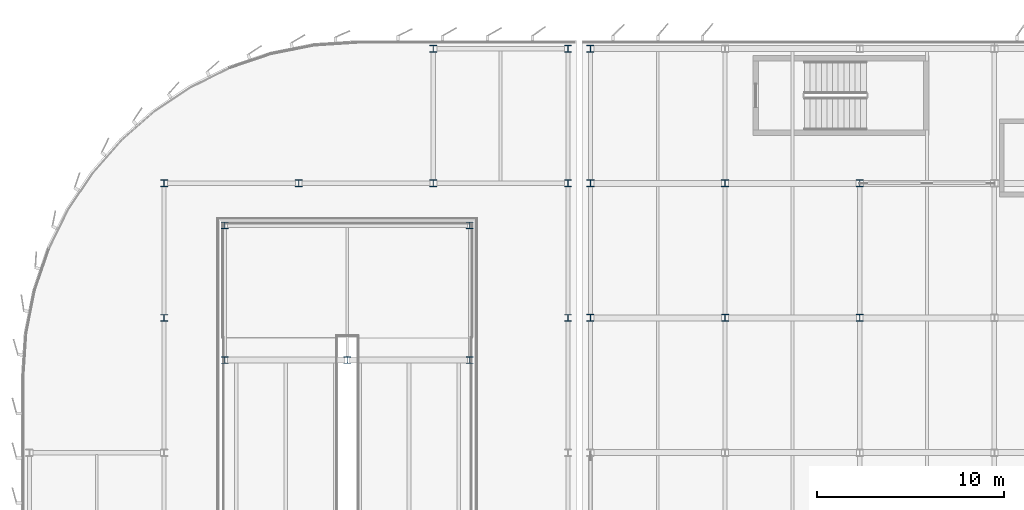
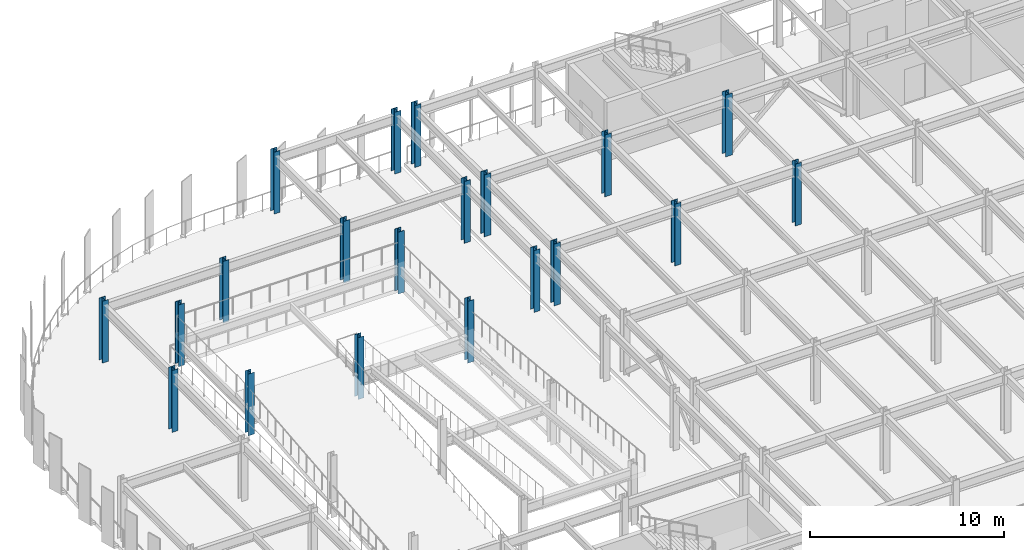
# One storey, part 3 of 80: 20 columns.
"""IFC4 building model written with IfcOpenShell, lengths in metres."""

from ifc_helpers import new_model, si_unit, direction, frame, origin, origin_2d, place, context, subcontext, project, spatial, i_section, extrude, material, material_profile, profile_set, type_object, element, save


model = new_model("IFC4")

# Units and contexts
model_context = context("Model", 3, precision=1e-05, world=origin(), true_north=direction((0.0, 1.0)))
body_context = subcontext(model_context, "Body", "Model", "MODEL_VIEW")
ifc_project = project(units=[si_unit("LENGTHUNIT", "METRE"), si_unit("AREAUNIT", "SQUARE_METRE"), si_unit("VOLUMEUNIT", "CUBIC_METRE"), si_unit("PLANEANGLEUNIT", "RADIAN"), si_unit("MASSUNIT", "GRAM", prefix="KILO")], contexts=[model_context])

# Site, building, storey
site_placement = place(None, origin())
site = spatial("IfcSite", under=ifc_project, at=site_placement, CompositionType="ELEMENT")
building_placement = place(site_placement, origin())
building = spatial("IfcBuilding", under=site, at=building_placement, Name="Vaelcorin Mobility Hub", CompositionType="ELEMENT")
storey_placement = place(building_placement, frame((0.0, 0.0, 9.300048828125)))
storey = spatial("IfcBuildingStorey", under=building, at=storey_placement, Name="L02", CompositionType="ELEMENT", Elevation=9.300048828125)

# Columns
ifc_material = material(Name="Steel ASTM A992 Grade 50", Category="steel")
ifc_material_profile_1 = material_profile(ifc_material, i_section(OverallWidth=0.37109375, OverallDepth=0.363037109375, WebThickness=0.01318359375, FlangeThickness=0.021728515625, FilletRadius=0.014892578125, at=origin_2d()), Name="W14X109")
ifc_profile_set_1 = profile_set([ifc_material_profile_1], Name="Steel ASTM A992 Grade 50")
column_type_1 = type_object("IfcColumnType", Name="COL-W14X109", PredefinedType="COLUMN", material=ifc_profile_set_1)
for number, where, z_axis, x_axis, name in (
    (1, (13.199951171875, 105.60009765625, 0.0), (0.0, 0.0, 1.0), (1.0, 0.0, 0.0), "Column V2W-G2x5 L02"),
    (2, (13.199951171875, 112.800048828125, 0.0), (0.0, 0.0, 1.0), (1.0, 0.0, 0.0), "Column V2W-G2x6 L02"),
    (3, (20.39990234375, 112.800048828125, 0.0), (0.0, 0.0, 1.0), (1.0, 0.0, 0.0), "Column V2W-G3x6 L02"),
    (4, (27.60009765625, 112.800048828125, 0.0), (0.0, 0.0, 1.0), (1.0, 0.0, 0.0), "Column V2W-G4x6 L02"),
    (5, (27.60009765625, 120.0, 0.0), (0.0, 0.0, 1.0), (1.0, 0.0, 0.0), "Column V2W-G4x7 L02"),
    (6, (34.800048828125, 105.60009765625, 0.0), (0.0, 0.0, 1.0), (1.0, 0.0, 0.0), "Column V2W-G5x5 L02"),
    (7, (34.800048828125, 112.800048828125, 0.0), (0.0, 0.0, 1.0), (1.0, 0.0, 0.0), "Column V2W-G5x6 L02"),
    (8, (34.800048828125, 120.0, 0.0), (0.0, 0.0, 1.0), (1.0, 0.0, 0.0), "Column V2W-G5x7 L02"),
):
    element("IfcColumn", number, at=place(storey_placement, frame(where, z_axis=z_axis, x_axis=x_axis)), inside=storey, type_object=column_type_1, Name=name, PredefinedType="COLUMN", context=body_context, shape_type="SweptSolid", body=[
        extrude(i_section(OverallWidth=0.37109375, OverallDepth=0.363037109375, WebThickness=0.01318359375, FlangeThickness=0.021728515625, FilletRadius=0.014892578125, at=origin_2d()), origin(), (0.0, 0.0, 1.0), 3.89990234375),
    ])
ifc_material_profile_2 = material_profile(ifc_material, i_section(OverallWidth=0.373046875, OverallDepth=0.373046875, WebThickness=0.016357421875, FlangeThickness=0.026123046875, FilletRadius=0.014892578125, at=origin_2d()), Name="W14X132")
ifc_profile_set_2 = profile_set([ifc_material_profile_2], Name="Steel ASTM A992 Grade 50")
column_type_2 = type_object("IfcColumnType", Name="COL-W14X132", PredefinedType="COLUMN", material=ifc_profile_set_2)
for number, where, z_axis, x_axis, name in (
    (9, (36.0, 105.60009765625, 0.0), (0.0, 0.0, 1.0), (1.0, 0.0, 0.0), "Column V4-X01Y05 L02"),
    (10, (36.0, 120.0, 0.0), (0.0, 0.0, 1.0), (1.0, 0.0, 0.0), "Column V4-X01Y07 L02"),
    (11, (43.199951171875, 105.60009765625, 0.0), (0.0, 0.0, 1.0), (1.0, 0.0, 0.0), "Column V4-X02Y05 L02"),
    (12, (50.39990234375, 105.60009765625, 0.0), (0.0, 0.0, 1.0), (1.0, 0.0, 0.0), "Column V4-X03Y05 L02"),
):
    element("IfcColumn", number, at=place(storey_placement, frame(where, z_axis=z_axis, x_axis=x_axis)), inside=storey, type_object=column_type_2, Name=name, PredefinedType="COLUMN", context=body_context, shape_type="SweptSolid", body=[
        extrude(i_section(OverallWidth=0.373046875, OverallDepth=0.373046875, WebThickness=0.016357421875, FlangeThickness=0.026123046875, FilletRadius=0.014892578125, at=origin_2d()), origin(), (0.0, 0.0, 1.0), 3.89990234375),
    ])
ifc_material_profile_3 = material_profile(ifc_material, i_section(OverallWidth=0.39599609375, OverallDepth=0.381103515625, WebThickness=0.018798828125, FlangeThickness=0.0302734375, FilletRadius=0.014892578125, at=origin_2d()), Name="W14X159")
ifc_profile_set_3 = profile_set([ifc_material_profile_3], Name="Steel ASTM A992 Grade 50")
column_type_3 = type_object("IfcColumnType", Name="COL-W14X159", PredefinedType="COLUMN", material=ifc_profile_set_3)
for number, where, z_axis, x_axis, name in (
    (13, (36.0, 112.800048828125, 0.0), (0.0, 0.0, 1.0), (1.0, 0.0, 0.0), "Column V4-X01Y06 L02"),
    (14, (43.199951171875, 112.800048828125, 0.0), (0.0, 0.0, 1.0), (1.0, 0.0, 0.0), "Column V4-X02Y06 L02"),
    (15, (50.39990234375, 112.800048828125, 0.0), (0.0, 0.0, 1.0), (1.0, 0.0, 0.0), "Column V4-X03Y06 L02"),
):
    element("IfcColumn", number, at=place(storey_placement, frame(where, z_axis=z_axis, x_axis=x_axis)), inside=storey, type_object=column_type_3, Name=name, PredefinedType="COLUMN", context=body_context, shape_type="SweptSolid", body=[
        extrude(i_section(OverallWidth=0.39599609375, OverallDepth=0.381103515625, WebThickness=0.018798828125, FlangeThickness=0.0302734375, FilletRadius=0.014892578125, at=origin_2d()), origin(), (0.0, 0.0, 1.0), 3.89990234375),
    ])
ifc_material_profile_4 = material_profile(ifc_material, i_section(OverallWidth=0.367919921875, OverallDepth=0.35595703125, WebThickness=0.01123046875, FlangeThickness=0.01806640625, FilletRadius=0.014892578125, at=origin_2d()), Name="W14X90")
ifc_profile_set_4 = profile_set([ifc_material_profile_4], Name="Steel ASTM A992 Grade 50")
column_type_4 = type_object("IfcColumnType", Name="COL-W14X90", PredefinedType="COLUMN", material=ifc_profile_set_4)
for number, where, z_axis, x_axis, name in (
    (16, (16.449951171875, 103.35009765625, 0.0), (0.0, 0.0, 1.0), (1.0, 0.0, 0.0), "Column V2W-RDRM-WN L02"),
    (17, (23.0, 103.35009765625, 0.0), (0.0, 0.0, 1.0), (1.0, 0.0, 0.0), "Column V2W-RDRM-MN L02"),
    (18, (29.550048828125, 103.35009765625, 0.0), (0.0, 0.0, 1.0), (1.0, 0.0, 0.0), "Column V2W-RDRM-EN L02"),
    (19, (16.449951171875, 110.550048828125, 0.0), (0.0, 0.0, 1.0), (1.0, 0.0, 0.0), "Column V2W-RDRM-WB L02"),
    (20, (29.550048828125, 110.550048828125, 0.0), (0.0, 0.0, 1.0), (1.0, 0.0, 0.0), "Column V2W-RDRM-EB L02"),
):
    element("IfcColumn", number, at=place(storey_placement, frame(where, z_axis=z_axis, x_axis=x_axis)), inside=storey, type_object=column_type_4, Name=name, PredefinedType="COLUMN", context=body_context, shape_type="SweptSolid", body=[
        extrude(i_section(OverallWidth=0.367919921875, OverallDepth=0.35595703125, WebThickness=0.01123046875, FlangeThickness=0.01806640625, FilletRadius=0.014892578125, at=origin_2d()), origin(), (0.0, 0.0, 1.0), 3.89990234375),
    ])

save(model, "model.ifc")
